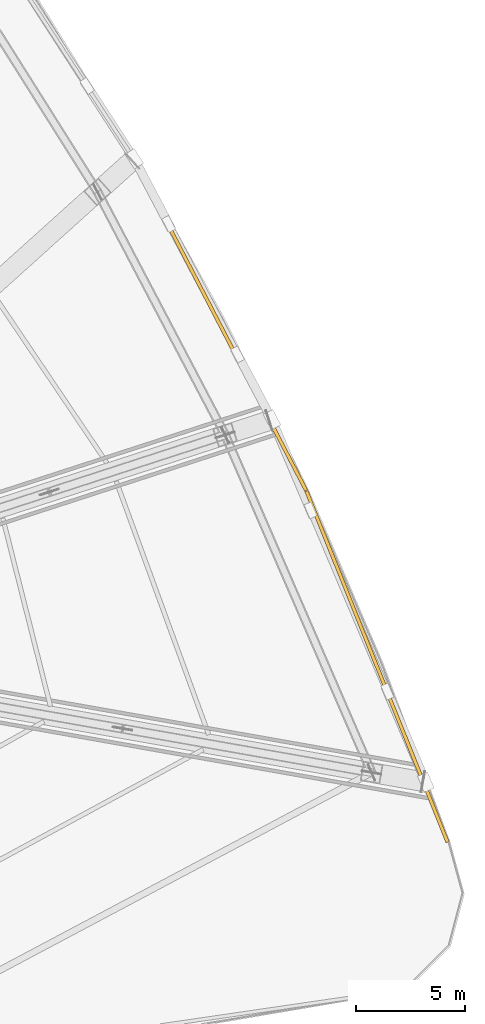
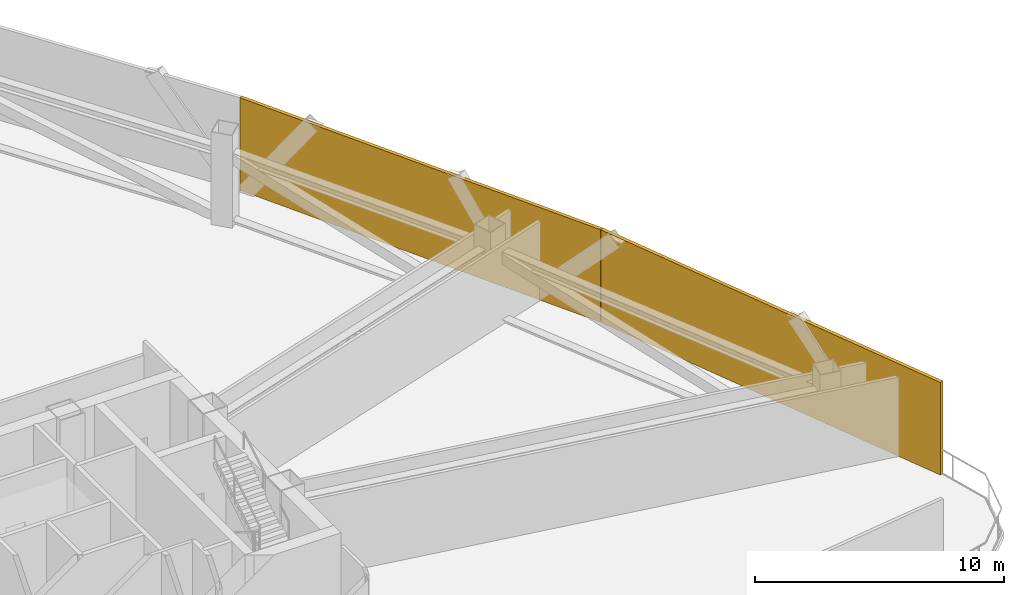
# One storey, part 17 of 17: 2 shading devices.
"""IFC4 building model written with IfcOpenShell, lengths in metres."""

from ifc_helpers import new_model, si_unit, direction, frame, origin, origin_2d, place, context, subcontext, project, spatial, rectangle, extrude, source, transform, mapped, material, layer, layer_set, type_object, element, save


model = new_model("IFC4")

# Units and contexts
model_context = context("Model", 3, precision=1e-05, world=origin(), true_north=direction((0.0, 1.0)))
body_context = subcontext(model_context, "Body", "Model", "MODEL_VIEW")
ifc_project = project(units=[si_unit("LENGTHUNIT", "METRE"), si_unit("AREAUNIT", "SQUARE_METRE"), si_unit("VOLUMEUNIT", "CUBIC_METRE"), si_unit("PLANEANGLEUNIT", "RADIAN"), si_unit("MASSUNIT", "GRAM", prefix="KILO"), si_unit("THERMODYNAMICTEMPERATUREUNIT", "KELVIN"), si_unit("POWERUNIT", "WATT")], contexts=[model_context])

# Site, building, storey
site_placement = place(None, origin())
site = spatial("IfcSite", under=ifc_project, at=site_placement, CompositionType="ELEMENT")
building_placement = place(site_placement, origin())
building = spatial("IfcBuilding", under=site, at=building_placement, Name="Yunzhuo Pagoda Commons", CompositionType="ELEMENT")
storey_placement = place(building_placement, frame((0.0, 0.0, 176.159912109375)))
storey = spatial("IfcBuildingStorey", under=building, at=storey_placement, Name="L44", CompositionType="ELEMENT", Elevation=176.159912109375)

# Shading devices
ifc_material = material(Name="Anodized aluminium 6063-T6", Category="aluminium")
ifc_layer = layer(ifc_material, 0.159912109375)
ifc_layer_set = layer_set([ifc_layer], Name="Anodized aluminium 6063-T6")
shading_device_type = type_object("IfcShadingDeviceType", Name="SH-SCR1 Stormproof Refuge Louvre Screen", PredefinedType="JALOUSIE", material=ifc_layer_set)
shared_shape_1 = source(origin(), body_context, "Body", "SweptSolid", [
    extrude(rectangle(XDim=17.335205078125, YDim=0.159912109375, at=origin_2d()), origin(), (0.0, 0.0, 1.0), 4.5400390625),
])
shading_device_1_placement = place(storey_placement, frame((83.452880859375, 32.34521484375, 0.0), z_axis=(0.0, 0.0, 1.0), x_axis=(-0.372987782576, 0.927836253899, 0.0)))
element("IfcShadingDevice", 1, at=shading_device_1_placement, inside=storey, type_object=shading_device_type, Name="L44 stormproof refuge louvre screen F2.1", PredefinedType="JALOUSIE", context=body_context, shape_type="MappedRepresentation", body=[
    mapped(shared_shape_1, transform((0.0, 0.0, 0.0), scale=1.0)),
])
shared_shape_2 = source(origin(), body_context, "Body", "SweptSolid", [
    extrude(rectangle(XDim=17.1708984375, YDim=0.159912109375, at=origin_2d()), origin(), (0.0, 0.0, 1.0), 4.5400390625),
])
shading_device_2_placement = place(storey_placement, frame((76.248291015625, 48.03076171875, 0.0), z_axis=(0.0, 0.0, 1.0), x_axis=(-0.461206683033, 0.88729273384, 0.0)))
element("IfcShadingDevice", 2, at=shading_device_2_placement, inside=storey, type_object=shading_device_type, Name="L44 stormproof refuge louvre screen F2.2", PredefinedType="JALOUSIE", context=body_context, shape_type="MappedRepresentation", body=[
    mapped(shared_shape_2, transform((0.0, 0.0, 0.0), scale=1.0)),
])

save(model, "model.ifc")
